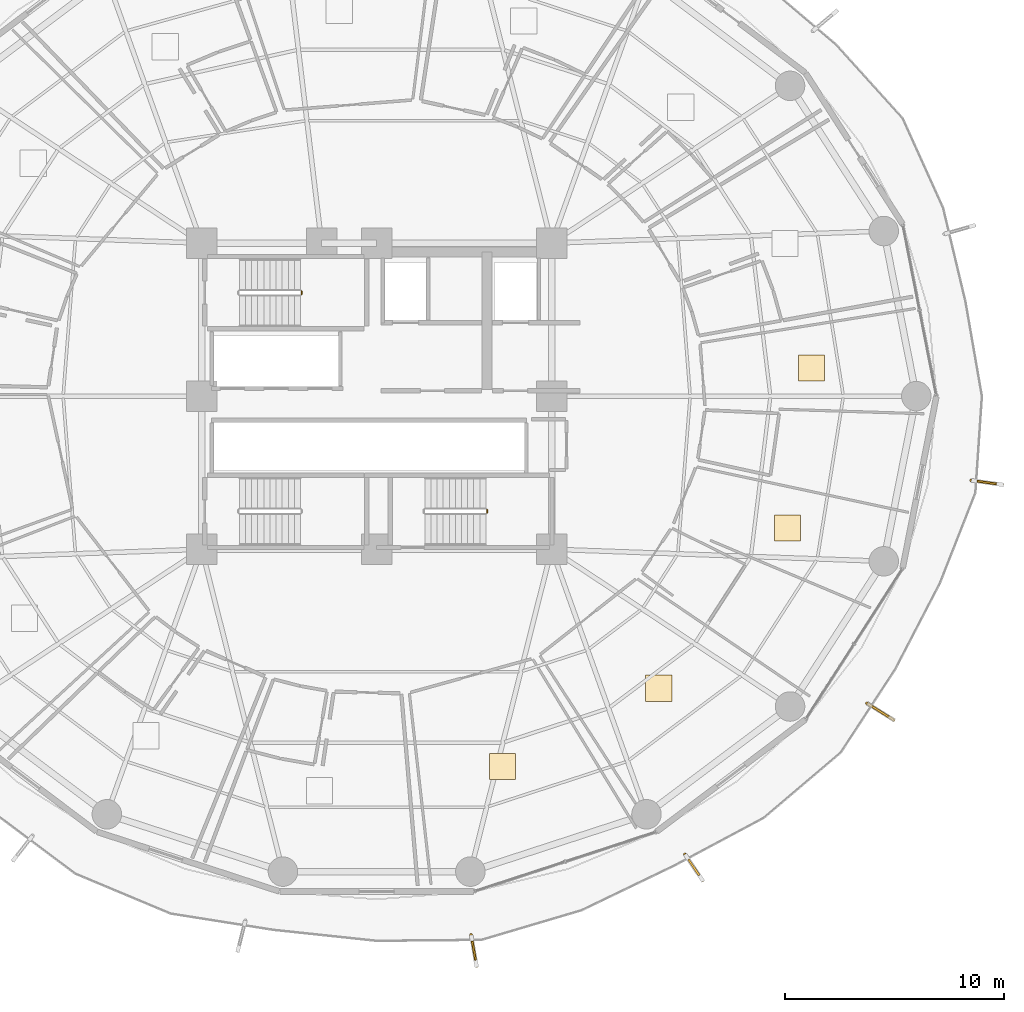
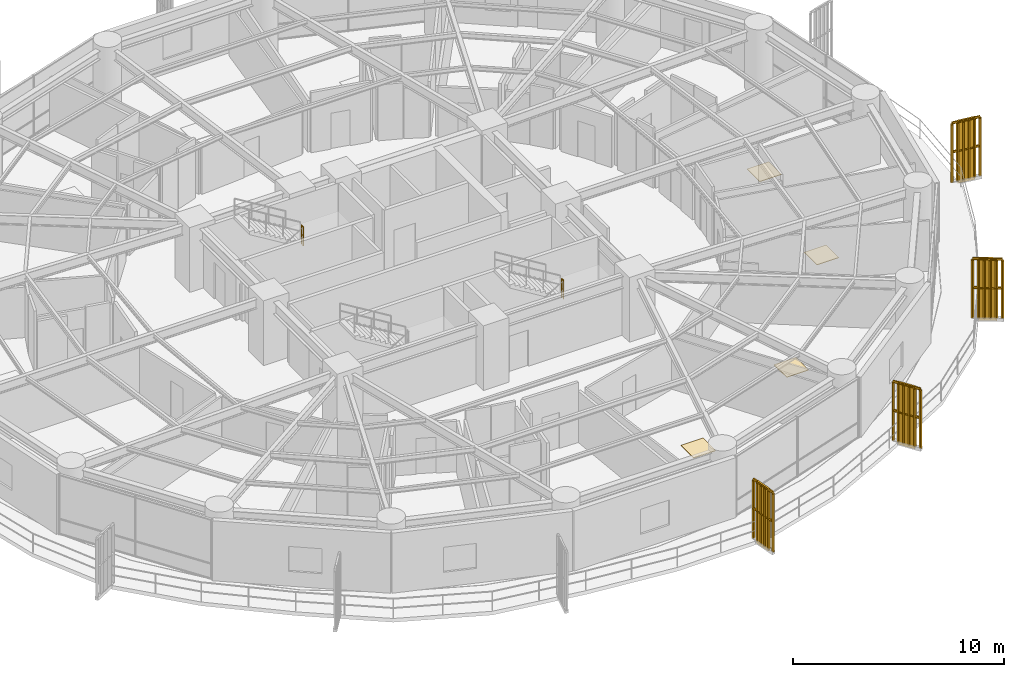
# One storey, part 33 of 34: 6 railings, 4 coverings, 4 shading devices.
"""IFC4 building model written with IfcOpenShell, lengths in metres."""

from ifc_helpers import new_model, si_unit, direction, frame, origin, origin_2d, place, context, subcontext, project, spatial, polyline, rectangle, outline, extrude, source, transform, mapped, material, layer, layer_set, type_object, element, save


model = new_model("IFC4")

# Units and contexts
model_context = context("Model", 3, precision=1e-05, world=origin(), true_north=direction((0.0, 1.0)))
body_context = subcontext(model_context, "Body", "Model", "MODEL_VIEW")
ifc_project = project(units=[si_unit("LENGTHUNIT", "METRE"), si_unit("AREAUNIT", "SQUARE_METRE"), si_unit("VOLUMEUNIT", "CUBIC_METRE"), si_unit("PLANEANGLEUNIT", "RADIAN"), si_unit("MASSUNIT", "GRAM", prefix="KILO")], contexts=[model_context])

# Site, building, storey
site_placement = place(None, origin())
site = spatial("IfcSite", under=ifc_project, at=site_placement, CompositionType="ELEMENT")
building_placement = place(site_placement, origin())
building = spatial("IfcBuilding", under=site, at=building_placement, Name="Kelanora Arch Commons", CompositionType="ELEMENT")
storey_placement = place(building_placement, frame((0.0, 0.0, 76.35009765625)))
storey = spatial("IfcBuildingStorey", under=building, at=storey_placement, Name="L19", CompositionType="ELEMENT", Elevation=76.35009765625)

# Railings
ifc_material_1 = material(Name="Anodised bronze vertical shading fin rib assembly")
railing_type_1 = type_object("IfcRailingType", Name="RAIL-FIN-BRZ", PredefinedType="BALUSTRADE", material=ifc_material_1)
railing_1_placement = place(storey_placement, frame((78.321044921875, 33.35302734375, -0.02001953125)))
element("IfcRailing", 1, at=railing_1_placement, inside=storey, type_object=railing_type_1, Name="Sweeping Bronze Vertical Fin Blade L19-10", PredefinedType="BALUSTRADE", context=body_context, shape_type="SweptSolid", body=[
    extrude(outline(polyline([(0.06982421875, 0.0), (0.034912109375, 0.060546875), (-0.034912109375, 0.060546875), (-0.06982421875, 0.0), (-0.034912109375, -0.060546875), (0.034912109375, -0.060546875), (0.06982421875, 0.0)])), frame((0.0, 0.0, 3.419921875), z_axis=(0.172782042696, -0.984960083314, 0.0), x_axis=(0.984960083314, 0.172782042696, 0.0)), (0.0, 0.0, 1.0), 1.429931640625),
    extrude(outline(polyline([(0.06982421875, 0.0), (0.034912109375, 0.060546875), (-0.034912109375, 0.060546875), (-0.06982421875, 0.0), (-0.034912109375, -0.060546875), (0.034912109375, -0.060546875), (0.06982421875, 0.0)])), frame((0.0, 0.0, 1.7451171875), z_axis=(0.172782042696, -0.984960083314, 0.0), x_axis=(0.984960083314, 0.172782042696, 0.0)), (0.0, 0.0, 1.0), 1.429931640625),
    extrude(outline(polyline([(0.080078125, 0.0), (0.0400390625, 0.0693359375), (-0.0400390625, 0.0693359375), (-0.080078125, 0.0), (-0.0400390625, -0.0693359375), (0.0400390625, -0.0693359375), (0.080078125, 0.0)])), origin(), (0.0, 0.0, 1.0), 3.35009765625),
    extrude(outline(polyline([(0.080078125, 0.0), (0.0400390625, 0.0693359375), (-0.0400390625, 0.0693359375), (-0.080078125, 0.0), (-0.0400390625, -0.0693359375), (0.0400390625, -0.0693359375), (0.080078125, 0.0)])), frame((0.04931640625, -0.28173828125, 0.0)), (0.0, 0.0, 1.0), 3.35009765625),
    extrude(outline(polyline([(0.080078125, 0.0), (0.0400390625, 0.0693359375), (-0.0400390625, 0.0693359375), (-0.080078125, 0.0), (-0.0400390625, -0.0693359375), (0.0400390625, -0.0693359375), (0.080078125, 0.0)])), frame((0.098876953125, -0.5634765625, 0.0)), (0.0, 0.0, 1.0), 3.35009765625),
    extrude(outline(polyline([(0.080078125, 0.0), (0.0400390625, 0.0693359375), (-0.0400390625, 0.0693359375), (-0.080078125, 0.0), (-0.0400390625, -0.0693359375), (0.0400390625, -0.0693359375), (0.080078125, 0.0)])), frame((0.148193359375, -0.844970703125, 0.0)), (0.0, 0.0, 1.0), 3.35009765625),
    extrude(outline(polyline([(0.080078125, 0.0), (0.0400390625, 0.0693359375), (-0.0400390625, 0.0693359375), (-0.080078125, 0.0), (-0.0400390625, -0.0693359375), (0.0400390625, -0.0693359375), (0.080078125, 0.0)])), frame((0.19775390625, -1.126708984375, 0.0)), (0.0, 0.0, 1.0), 3.35009765625),
    extrude(outline(polyline([(0.080078125, 0.0), (0.0400390625, 0.0693359375), (-0.0400390625, 0.0693359375), (-0.080078125, 0.0), (-0.0400390625, -0.0693359375), (0.0400390625, -0.0693359375), (0.080078125, 0.0)])), frame((0.2470703125, -1.408447265625, 0.0)), (0.0, 0.0, 1.0), 3.35009765625),
])
railing_2_placement = place(storey_placement, frame((88.1025390625, 37.048095703125, -0.02001953125)))
element("IfcRailing", 2, at=railing_2_placement, inside=storey, type_object=railing_type_1, Name="Sweeping Bronze Vertical Fin Blade L19-11", PredefinedType="BALUSTRADE", context=body_context, shape_type="SweptSolid", body=[
    extrude(outline(polyline([(0.06982421875, 0.0), (0.034912109375, 0.060546875), (-0.034912109375, 0.060546875), (-0.06982421875, 0.0), (-0.034912109375, -0.060546875), (0.034912109375, -0.060546875), (0.06982421875, 0.0)])), frame((0.0, 0.0, 3.419921875), z_axis=(0.558319874033, -0.829625770007, 0.0), x_axis=(0.829625770007, 0.558319874033, 0.0)), (0.0, 0.0, 1.0), 1.429931640625),
    extrude(outline(polyline([(0.06982421875, 0.0), (0.034912109375, 0.060546875), (-0.034912109375, 0.060546875), (-0.06982421875, 0.0), (-0.034912109375, -0.060546875), (0.034912109375, -0.060546875), (0.06982421875, 0.0)])), frame((0.0, 0.0, 1.7451171875), z_axis=(0.558319874033, -0.829625770007, 0.0), x_axis=(0.829625770007, 0.558319874033, 0.0)), (0.0, 0.0, 1.0), 1.429931640625),
    extrude(outline(polyline([(0.080078125, 0.0), (0.0400390625, 0.0693359375), (-0.0400390625, 0.0693359375), (-0.080078125, 0.0), (-0.0400390625, -0.0693359375), (0.0400390625, -0.0693359375), (0.080078125, 0.0)])), origin(), (0.0, 0.0, 1.0), 3.35009765625),
    extrude(outline(polyline([(0.080078125, 0.0), (0.0400390625, 0.0693359375), (-0.0400390625, 0.0693359375), (-0.080078125, 0.0), (-0.0400390625, -0.0693359375), (0.0400390625, -0.0693359375), (0.080078125, 0.0)])), frame((0.15966796875, -0.2373046875, 0.0)), (0.0, 0.0, 1.0), 3.35009765625),
    extrude(outline(polyline([(0.080078125, 0.0), (0.0400390625, 0.0693359375), (-0.0400390625, 0.0693359375), (-0.080078125, 0.0), (-0.0400390625, -0.0693359375), (0.0400390625, -0.0693359375), (0.080078125, 0.0)])), frame((0.3193359375, -0.474609375, 0.0)), (0.0, 0.0, 1.0), 3.35009765625),
    extrude(outline(polyline([(0.080078125, 0.0), (0.0400390625, 0.0693359375), (-0.0400390625, 0.0693359375), (-0.080078125, 0.0), (-0.0400390625, -0.0693359375), (0.0400390625, -0.0693359375), (0.080078125, 0.0)])), frame((0.47900390625, -0.711669921875, 0.0)), (0.0, 0.0, 1.0), 3.35009765625),
    extrude(outline(polyline([(0.080078125, 0.0), (0.0400390625, 0.0693359375), (-0.0400390625, 0.0693359375), (-0.080078125, 0.0), (-0.0400390625, -0.0693359375), (0.0400390625, -0.0693359375), (0.080078125, 0.0)])), frame((0.638671875, -0.948974609375, 0.0)), (0.0, 0.0, 1.0), 3.35009765625),
    extrude(outline(polyline([(0.080078125, 0.0), (0.0400390625, 0.0693359375), (-0.0400390625, 0.0693359375), (-0.080078125, 0.0), (-0.0400390625, -0.0693359375), (0.0400390625, -0.0693359375), (0.080078125, 0.0)])), frame((0.79833984375, -1.186279296875, 0.0)), (0.0, 0.0, 1.0), 3.35009765625),
])
railing_3_placement = place(storey_placement, frame((96.42822265625, 43.954833984375, -0.02001953125)))
element("IfcRailing", 3, at=railing_3_placement, inside=storey, type_object=railing_type_1, Name="Sweeping Bronze Vertical Fin Blade L19-12", PredefinedType="BALUSTRADE", context=body_context, shape_type="SweptSolid", body=[
    extrude(outline(polyline([(0.06982421875, 0.0), (0.034912109375, 0.060546875), (-0.034912109375, 0.060546875), (-0.06982421875, 0.0), (-0.034912109375, -0.060546875), (0.034912109375, -0.060546875), (0.06982421875, 0.0)])), frame((0.0, 0.0, 3.419921875), z_axis=(0.847499169397, -0.530796719914, 0.0), x_axis=(0.530796719914, 0.847499169397, 0.0)), (0.0, 0.0, 1.0), 1.429931640625),
    extrude(outline(polyline([(0.06982421875, 0.0), (0.034912109375, 0.060546875), (-0.034912109375, 0.060546875), (-0.06982421875, 0.0), (-0.034912109375, -0.060546875), (0.034912109375, -0.060546875), (0.06982421875, 0.0)])), frame((0.0, 0.0, 1.7451171875), z_axis=(0.847499169397, -0.530796719914, 0.0), x_axis=(0.530796719914, 0.847499169397, 0.0)), (0.0, 0.0, 1.0), 1.429931640625),
    extrude(outline(polyline([(0.080078125, 0.0), (0.0400390625, 0.0693359375), (-0.0400390625, 0.0693359375), (-0.080078125, 0.0), (-0.0400390625, -0.0693359375), (0.0400390625, -0.0693359375), (0.080078125, 0.0)])), origin(), (0.0, 0.0, 1.0), 3.35009765625),
    extrude(outline(polyline([(0.080078125, 0.0), (0.0400390625, 0.0693359375), (-0.0400390625, 0.0693359375), (-0.080078125, 0.0), (-0.0400390625, -0.0693359375), (0.0400390625, -0.0693359375), (0.080078125, 0.0)])), frame((0.242431640625, -0.15185546875, 0.0)), (0.0, 0.0, 1.0), 3.35009765625),
    extrude(outline(polyline([(0.080078125, 0.0), (0.0400390625, 0.0693359375), (-0.0400390625, 0.0693359375), (-0.080078125, 0.0), (-0.0400390625, -0.0693359375), (0.0400390625, -0.0693359375), (0.080078125, 0.0)])), frame((0.48486328125, -0.3037109375, 0.0)), (0.0, 0.0, 1.0), 3.35009765625),
    extrude(outline(polyline([(0.080078125, 0.0), (0.0400390625, 0.0693359375), (-0.0400390625, 0.0693359375), (-0.080078125, 0.0), (-0.0400390625, -0.0693359375), (0.0400390625, -0.0693359375), (0.080078125, 0.0)])), frame((0.72705078125, -0.455322265625, 0.0)), (0.0, 0.0, 1.0), 3.35009765625),
    extrude(outline(polyline([(0.080078125, 0.0), (0.0400390625, 0.0693359375), (-0.0400390625, 0.0693359375), (-0.080078125, 0.0), (-0.0400390625, -0.0693359375), (0.0400390625, -0.0693359375), (0.080078125, 0.0)])), frame((0.969482421875, -0.607177734375, 0.0)), (0.0, 0.0, 1.0), 3.35009765625),
    extrude(outline(polyline([(0.080078125, 0.0), (0.0400390625, 0.0693359375), (-0.0400390625, 0.0693359375), (-0.080078125, 0.0), (-0.0400390625, -0.0693359375), (0.0400390625, -0.0693359375), (0.080078125, 0.0)])), frame((1.2119140625, -0.759033203125, 0.0)), (0.0, 0.0, 1.0), 3.35009765625),
])
railing_4_placement = place(storey_placement, frame((101.194580078125, 54.15087890625, -0.02001953125)))
element("IfcRailing", 4, at=railing_4_placement, inside=storey, type_object=railing_type_1, Name="Sweeping Bronze Vertical Fin Blade L19-13", PredefinedType="BALUSTRADE", context=body_context, shape_type="SweptSolid", body=[
    extrude(outline(polyline([(0.06982421875, 0.0), (0.034912109375, 0.060546875), (-0.034912109375, 0.060546875), (-0.06982421875, 0.0), (-0.034912109375, -0.060546875), (0.034912109375, -0.060546875), (0.06982421875, 0.0)])), frame((0.0, 0.0, 3.419921875), z_axis=(0.990129638, -0.140154557379, 0.0), x_axis=(0.140154557379, 0.990129638, 0.0)), (0.0, 0.0, 1.0), 1.43017578125),
    extrude(outline(polyline([(0.06982421875, 0.0), (0.034912109375, 0.060546875), (-0.034912109375, 0.060546875), (-0.06982421875, 0.0), (-0.034912109375, -0.060546875), (0.034912109375, -0.060546875), (0.06982421875, 0.0)])), frame((0.0, 0.0, 1.7451171875), z_axis=(0.990129638, -0.140154557379, 0.0), x_axis=(0.140154557379, 0.990129638, 0.0)), (0.0, 0.0, 1.0), 1.43017578125),
    extrude(outline(polyline([(0.080078125, 0.0), (0.0400390625, 0.0693359375), (-0.0400390625, 0.0693359375), (-0.080078125, 0.0), (-0.0400390625, -0.0693359375), (0.0400390625, -0.0693359375), (0.080078125, 0.0)])), origin(), (0.0, 0.0, 1.0), 3.35009765625),
    extrude(outline(polyline([(0.080078125, 0.0), (0.0400390625, 0.0693359375), (-0.0400390625, 0.0693359375), (-0.080078125, 0.0), (-0.0400390625, -0.0693359375), (0.0400390625, -0.0693359375), (0.080078125, 0.0)])), frame((0.283203125, -0.0400390625, 0.0)), (0.0, 0.0, 1.0), 3.35009765625),
    extrude(outline(polyline([(0.080078125, 0.0), (0.0400390625, 0.0693359375), (-0.0400390625, 0.0693359375), (-0.080078125, 0.0), (-0.0400390625, -0.0693359375), (0.0400390625, -0.0693359375), (0.080078125, 0.0)])), frame((0.56640625, -0.080078125, 0.0)), (0.0, 0.0, 1.0), 3.35009765625),
    extrude(outline(polyline([(0.080078125, 0.0), (0.0400390625, 0.0693359375), (-0.0400390625, 0.0693359375), (-0.080078125, 0.0), (-0.0400390625, -0.0693359375), (0.0400390625, -0.0693359375), (0.080078125, 0.0)])), frame((0.849609375, -0.120361328125, 0.0)), (0.0, 0.0, 1.0), 3.35009765625),
    extrude(outline(polyline([(0.080078125, 0.0), (0.0400390625, 0.0693359375), (-0.0400390625, 0.0693359375), (-0.080078125, 0.0), (-0.0400390625, -0.0693359375), (0.0400390625, -0.0693359375), (0.080078125, 0.0)])), frame((1.1328125, -0.160400390625, 0.0)), (0.0, 0.0, 1.0), 3.35009765625),
    extrude(outline(polyline([(0.080078125, 0.0), (0.0400390625, 0.0693359375), (-0.0400390625, 0.0693359375), (-0.080078125, 0.0), (-0.0400390625, -0.0693359375), (0.0400390625, -0.0693359375), (0.080078125, 0.0)])), frame((1.416015625, -0.200439453125, 0.0)), (0.0, 0.0, 1.0), 3.35009765625),
])
ifc_material_2 = material(Name="Painted steel stair well guard", Category="steel")
railing_type_2 = type_object("IfcRailingType", Name="RAIL-STAIR-GRD", PredefinedType="GUARDRAIL", material=ifc_material_2)
for number, where, name in (
    (5, (70.570068359375, 62.659912109375, 1.875), "L19 ST-T1 stair guard 2"),
    (6, (79.050048828125, 52.659912109375, 1.875), "L19 ST-T2 stair guard 2"),
):
    element("IfcRailing", number, at=place(storey_placement, frame(where)), inside=storey, type_object=railing_type_2, Name=name, PredefinedType="GUARDRAIL", context=body_context, shape_type="SweptSolid", body=[
        extrude(outline(polyline([(0.02392578125, 0.0), (0.011962890625, 0.020751953125), (-0.011962890625, 0.020751953125), (-0.02392578125, 0.0), (-0.011962890625, -0.020751953125), (0.011962890625, -0.020751953125), (0.02392578125, 0.0)])), frame((0.0, 0.0, 1.076171875), z_axis=(0.0, 1.0, 0.0), x_axis=(-1.0, 0.0, 0.0)), (0.0, 0.0, 1.0), 0.150146484375),
        extrude(outline(polyline([(0.02392578125, 0.0), (0.011962890625, 0.020751953125), (-0.011962890625, 0.020751953125), (-0.02392578125, 0.0), (-0.011962890625, -0.020751953125), (0.011962890625, -0.020751953125), (0.02392578125, 0.0)])), frame((0.0, 0.0, 0.550048828125), z_axis=(0.0, 1.0, 0.0), x_axis=(-1.0, 0.0, 0.0)), (0.0, 0.0, 1.0), 0.150146484375),
        extrude(outline(polyline([(0.02099609375, 0.0), (0.010498046875, 0.01806640625), (-0.010498046875, 0.01806640625), (-0.02099609375, 0.0), (-0.010498046875, -0.01806640625), (0.010498046875, -0.01806640625), (0.02099609375, 0.0)])), origin(), (0.0, 0.0, 1.0), 1.052001953125),
        extrude(outline(polyline([(0.02099609375, 0.0), (0.010498046875, 0.01806640625), (-0.010498046875, 0.01806640625), (-0.02099609375, 0.0), (-0.010498046875, -0.01806640625), (0.010498046875, -0.01806640625), (0.02099609375, 0.0)])), frame((0.0, 0.150146484375, 0.0)), (0.0, 0.0, 1.0), 1.052001953125),
    ])

# Shading devices
ifc_material_3 = material(Name="Terracotta ceramic-clad extruded aluminium fin", Category="masonry")
shading_device_type = type_object("IfcShadingDeviceType", Name="SHD-FIN-FLARE", PredefinedType="USERDEFINED", material=ifc_material_3)
shared_shape_1 = source(origin(), body_context, "Body", "SweptSolid", [
    extrude(rectangle(XDim=0.8798828125, YDim=0.090087890625, at=origin_2d()), origin(), (0.0, 0.0, 1.0), 3.610107421875),
])
for number, where, z_axis, x_axis, name in (
    (7, (78.4453125, 32.643798828125, -0.14013671875), (0.0, 0.0, 1.0), (0.172616794375, -0.984989056944, 0.0), "Sweeping Terracotta Fin L19-10"),
    (8, (88.50439453125, 36.45068359375, -0.14013671875), (0.0, 0.0, 1.0), (0.558324430902, -0.829622703317, 0.0), "Sweeping Terracotta Fin L19-11"),
    (9, (97.038330078125, 43.57275390625, -0.14013671875), (0.0, 0.0, 1.0), (0.847492701108, -0.5308070474, 0.0), "Sweeping Terracotta Fin L19-12"),
    (10, (101.90771484375, 54.050048828125, -0.14013671875), (0.0, 0.0, 1.0), (0.990121784063, -0.140210030757, 0.0), "Sweeping Terracotta Fin L19-13"),
):
    element("IfcShadingDevice", number, at=place(storey_placement, frame(where, z_axis=z_axis, x_axis=x_axis)), inside=storey, type_object=shading_device_type, Name=name, ObjectType="FIN", PredefinedType="USERDEFINED", context=body_context, shape_type="MappedRepresentation", body=[
        mapped(shared_shape_1, transform((0.0, 0.0, 0.0), scale=1.0)),
    ])

# Coverings
ifc_material_4 = material(Name="Polished local granite terrazzo flooring", Category="masonry")
ifc_layer = layer(ifc_material_4, 0.030029296875)
ifc_layer_set = layer_set([ifc_layer], Name="Polished local granite terrazzo flooring")
covering_type = type_object("IfcCoveringType", Name="COV-FLR-TER", PredefinedType="FLOORING", material=ifc_layer_set)
shared_shape_2 = source(origin(), body_context, "Body", "SweptSolid", [
    extrude(rectangle(XDim=1.199951171875, YDim=1.199951171875, at=origin_2d()), origin(), (0.0, 0.0, 1.0), 0.030029296875),
])
for number, where, z_axis, x_axis, name in (
    (11, (79.75, 41.068603515625, 0.0), (0.0, 0.0, 1.0), (1.0, 0.0, 0.0), "Quiet Seminar Study Room L19-12 Terrazzo Finish"),
    (12, (86.902099609375, 44.637939453125, 0.0), (0.0, 0.0, 1.0), (1.0, 0.0, 0.0), "Quiet Seminar Study Room L19-13 Terrazzo Finish"),
    (13, (92.788818359375, 51.968017578125, 0.0), (0.0, 0.0, 1.0), (1.0, 0.0, 0.0), "Quiet Reading Carrel L19-14 Terrazzo Finish"),
    (14, (93.886962890625, 59.290283203125, 0.0), (0.0, 0.0, 1.0), (1.0, 0.0, 0.0), "Tutorial Study Alcove L19-15 Terrazzo Finish"),
):
    element("IfcCovering", number, at=place(storey_placement, frame(where, z_axis=z_axis, x_axis=x_axis)), inside=storey, type_object=covering_type, Name=name, PredefinedType="FLOORING", context=body_context, shape_type="MappedRepresentation", body=[
        mapped(shared_shape_2, transform((0.0, 0.0, 0.0), scale=1.0)),
    ])

save(model, "model.ifc")
